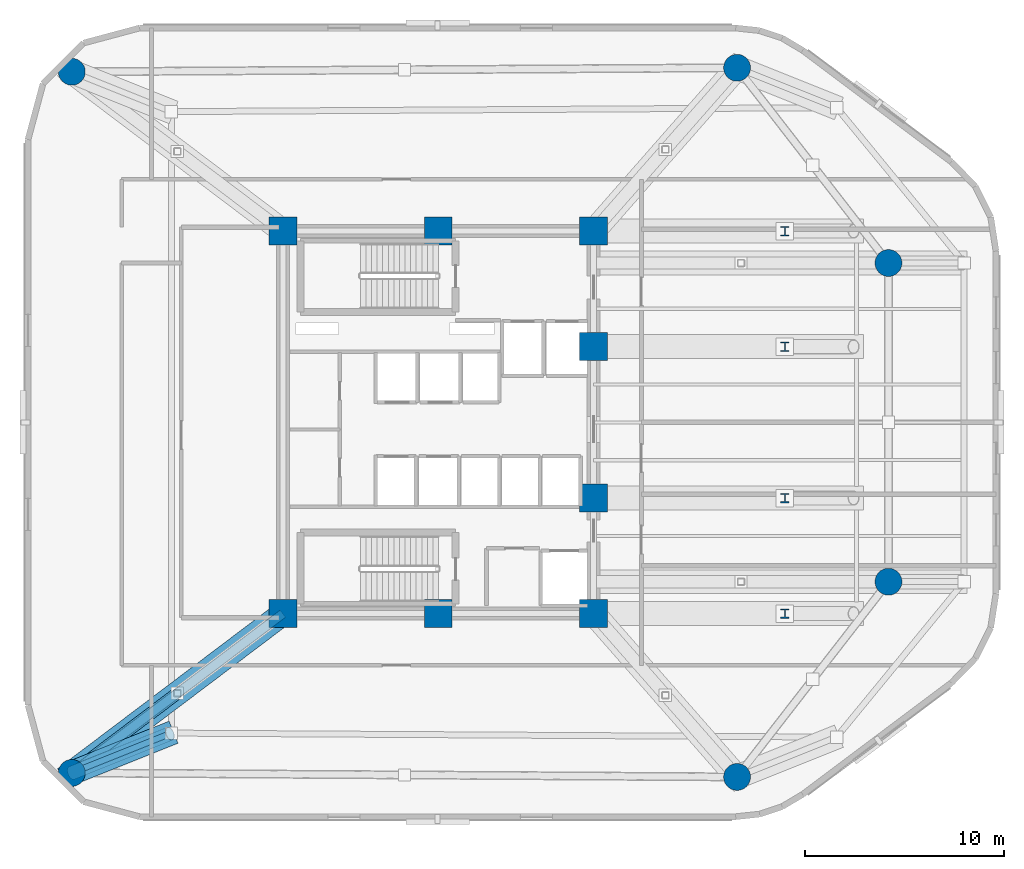
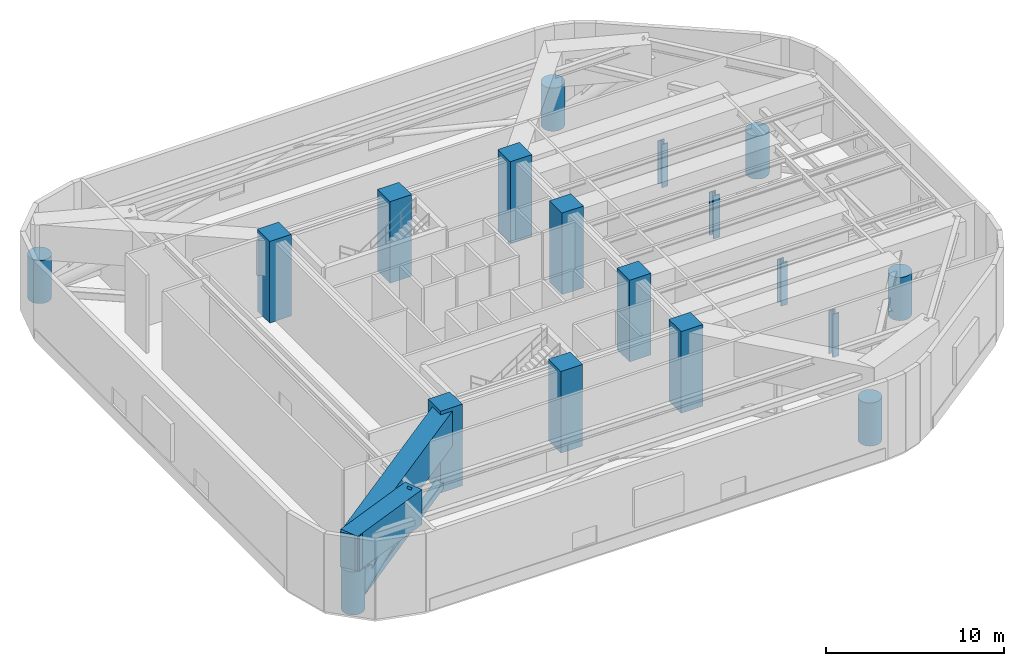
# One storey, part 1 of 10: 18 columns, 3 beams, 3 members.
"""IFC4 building model written with IfcOpenShell, lengths in metres."""

from ifc_helpers import new_model, si_unit, direction, frame, origin, origin_2d, place, context, subcontext, project, spatial, rectangle, hollow_rectangle, circle, hollow_circle, i_section, extrude, material, material_profile, profile_set, type_object, element, save


model = new_model("IFC4")

# Units and contexts
model_context = context("Model", 3, precision=1e-05, world=origin(), true_north=direction((0.0, 1.0)))
body_context = subcontext(model_context, "Body", "Model", "MODEL_VIEW")
ifc_project = project(units=[si_unit("LENGTHUNIT", "METRE"), si_unit("AREAUNIT", "SQUARE_METRE"), si_unit("VOLUMEUNIT", "CUBIC_METRE"), si_unit("PLANEANGLEUNIT", "RADIAN"), si_unit("MASSUNIT", "GRAM", prefix="KILO")], contexts=[model_context])

# Site, building, storey
site_placement = place(None, origin())
site = spatial("IfcSite", under=ifc_project, at=site_placement, CompositionType="ELEMENT")
building_placement = place(site_placement, origin())
building = spatial("IfcBuilding", under=site, at=building_placement, Name="An Khanh Terracotta Commons", CompositionType="ELEMENT")
storey_placement = place(building_placement, frame((0.0, 0.0, 133.10009765625)))
storey = spatial("IfcBuildingStorey", under=building, at=storey_placement, Name="L35", CompositionType="ELEMENT", Elevation=133.10009765625)

# Columns
ifc_material_1 = material(Name="Concrete C70/85", Category="concrete")
ifc_material_profile_1 = material_profile(ifc_material_1, circle(Radius=0.675048828125, at=origin_2d()), Name="CFST1350")
ifc_profile_set_1 = profile_set([ifc_material_profile_1], Name="Concrete C70/85")
column_type_1 = type_object("IfcColumnType", Name="COL-CFST1350", PredefinedType="COLUMN", material=ifc_profile_set_1)
for number, where, z_axis, x_axis, name in (
    (1, (11.0, 6.39990234375, 0.0), (0.0, 0.0, 1.0), (1.0, 0.0, 0.0), "L35 Perimeter CFST Mega-Column MC-01"),
    (2, (44.39990234375, 6.199951171875, 0.0), (0.0, 0.0, 1.0), (1.0, 0.0, 0.0), "L35 Perimeter CFST Mega-Column MC-02"),
    (3, (52.0, 16.0, 0.0), (0.0, 0.0, 1.0), (1.0, 0.0, 0.0), "L35 Perimeter CFST Mega-Column MC-03"),
    (4, (52.0, 32.0, 0.0), (0.0, 0.0, 1.0), (1.0, 0.0, 0.0), "L35 Perimeter CFST Mega-Column MC-04"),
    (5, (44.39990234375, 41.800048828125, 0.0), (0.0, 0.0, 1.0), (1.0, 0.0, 0.0), "L35 Perimeter CFST Mega-Column MC-05"),
    (6, (11.0, 41.60009765625, 0.0), (0.0, 0.0, 1.0), (1.0, 0.0, 0.0), "L35 Perimeter CFST Mega-Column MC-06"),
):
    element("IfcColumn", number, at=place(storey_placement, frame(where, z_axis=z_axis, x_axis=x_axis)), inside=storey, type_object=column_type_1, Name=name, PredefinedType="COLUMN", context=body_context, shape_type="SweptSolid", body=[
        extrude(circle(Radius=0.675048828125, at=origin_2d()), origin(), (0.0, 0.0, 1.0), 2.9599609375),
    ])
ifc_material_2 = material(Name="Steel S460ML", Category="steel")
ifc_material_profile_2 = material_profile(ifc_material_2, i_section(OverallWidth=0.4169921875, OverallDepth=0.47705078125, WebThickness=0.035888671875, FlangeThickness=0.057373046875, FilletRadius=0.014892578125, at=origin_2d()), Name="HD400x463")
ifc_profile_set_2 = profile_set([ifc_material_profile_2], Name="Steel S460ML")
column_type_2 = type_object("IfcColumnType", Name="COL-HD400x463", PredefinedType="COLUMN", material=ifc_profile_set_2)
for number, where, z_axis, x_axis, name in (
    (7, (46.800048828125, 14.39990234375, 0.0), (0.0, 0.0, 1.0), (1.0, 0.0, 0.0), "L35 Interior Frame Column TC-01"),
    (8, (46.800048828125, 20.199951171875, 0.0), (0.0, 0.0, 1.0), (1.0, 0.0, 0.0), "L35 Interior Frame Column TC-02"),
    (9, (46.800048828125, 27.800048828125, 0.0), (0.0, 0.0, 1.0), (1.0, 0.0, 0.0), "L35 Interior Frame Column TC-03"),
    (10, (46.800048828125, 33.60009765625, 0.0), (0.0, 0.0, 1.0), (1.0, 0.0, 0.0), "L35 Interior Frame Column TC-04"),
):
    element("IfcColumn", number, at=place(storey_placement, frame(where, z_axis=z_axis, x_axis=x_axis)), inside=storey, type_object=column_type_2, Name=name, PredefinedType="COLUMN", context=body_context, shape_type="SweptSolid", body=[
        extrude(i_section(OverallWidth=0.4169921875, OverallDepth=0.47705078125, WebThickness=0.035888671875, FlangeThickness=0.057373046875, FilletRadius=0.014892578125, at=origin_2d()), origin(), (0.0, 0.0, 1.0), 2.9599609375),
    ])
ifc_material_profile_3 = material_profile(ifc_material_1, rectangle(XDim=1.39990234375, YDim=1.39990234375, at=origin_2d()), Name="RC1400x1400")
ifc_profile_set_3 = profile_set([ifc_material_profile_3], Name="Concrete C70/85")
column_type_3 = type_object("IfcColumnType", Name="COL-RC1400x1400", PredefinedType="COLUMN", material=ifc_profile_set_3)
for number, where, z_axis, x_axis, name in (
    (11, (21.60009765625, 14.39990234375, 0.0), (0.0, 0.0, 1.0), (1.0, 0.0, 0.0), "L35 Core Boundary Column CC-01"),
    (12, (29.39990234375, 14.39990234375, 0.0), (0.0, 0.0, 1.0), (1.0, 0.0, 0.0), "L35 Core Boundary Column CC-02"),
    (13, (37.199951171875, 14.39990234375, 0.0), (0.0, 0.0, 1.0), (1.0, 0.0, 0.0), "L35 Core Boundary Column CC-03"),
    (14, (37.199951171875, 20.199951171875, 0.0), (0.0, 0.0, 1.0), (1.0, 0.0, 0.0), "L35 Core Boundary Column CC-04"),
    (15, (37.199951171875, 27.800048828125, 0.0), (0.0, 0.0, 1.0), (1.0, 0.0, 0.0), "L35 Core Boundary Column CC-05"),
    (16, (37.199951171875, 33.60009765625, 0.0), (0.0, 0.0, 1.0), (1.0, 0.0, 0.0), "L35 Core Boundary Column CC-06"),
    (17, (29.39990234375, 33.60009765625, 0.0), (0.0, 0.0, 1.0), (1.0, 0.0, 0.0), "L35 Core Boundary Column CC-07"),
    (18, (21.60009765625, 33.60009765625, 0.0), (0.0, 0.0, 1.0), (1.0, 0.0, 0.0), "L35 Core Boundary Column CC-08"),
):
    element("IfcColumn", number, at=place(storey_placement, frame(where, z_axis=z_axis, x_axis=x_axis)), inside=storey, type_object=column_type_3, Name=name, PredefinedType="COLUMN", context=body_context, shape_type="SweptSolid", body=[
        extrude(rectangle(XDim=1.39990234375, YDim=1.39990234375, at=origin_2d()), origin(), (0.0, 0.0, 1.0), 5.599853515625),
    ])

# Member
ifc_material_profile_4 = material_profile(ifc_material_2, hollow_rectangle(XDim=0.5, YDim=0.5, WallThickness=0.02490234375, InnerFilletRadius=0.02490234375, OuterFilletRadius=0.050048828125, at=origin_2d()), Name="SHS500x500x25")
ifc_profile_set_4 = profile_set([ifc_material_profile_4], Name="Steel S460ML")
member_type_1 = type_object("IfcMemberType", Name="BELT-CHORD-SHS500", PredefinedType="CHORD", material=ifc_profile_set_4)
member_1_placement = place(storey_placement, frame((21.60009765625, 14.39990234375, 0.449951171875), z_axis=(-0.798191818888, -0.602403370061, 0.0), x_axis=(0.602403370061, -0.798191818888, 0.0)))
element("IfcMember", 19, at=member_1_placement, inside=storey, type_object=member_type_1, Name="L35 Outrigger Bottom Chord 1", PredefinedType="CHORD", context=body_context, shape_type="SweptSolid", body=[
    extrude(hollow_rectangle(XDim=0.5, YDim=0.5, WallThickness=0.02490234375, InnerFilletRadius=0.02490234375, OuterFilletRadius=0.050048828125, at=origin_2d()), origin(), (0.0, 0.0, 1.0), 13.280029296875),
])

# Beams
ifc_material_3 = material(Name="Steel S355J2", Category="steel")
ifc_material_profile_5 = material_profile(ifc_material_3, i_section(OverallWidth=0.300048828125, OverallDepth=0.60009765625, WebThickness=0.015380859375, FlangeThickness=0.030029296875, FilletRadius=0.027099609375, at=origin_2d()), Name="HEB600")
ifc_profile_set_5 = profile_set([ifc_material_profile_5], Name="Steel S355J2")
beam_type_1 = type_object("IfcBeamType", Name="BM-HEB600", PredefinedType="BEAM", material=ifc_profile_set_5)
beam_1_placement = place(storey_placement, frame((11.0, 6.39990234375, 0.0), z_axis=(0.664822495315, 0.265928998126, 0.69806362008), x_axis=(-0.371390676354, 0.928476690885, 0.0)))
element("IfcBeam", 20, at=beam_1_placement, inside=storey, type_object=beam_type_1, Name="L35 Outrigger Lower Column Tie Beam 1", PredefinedType="BEAM", context=body_context, shape_type="SweptSolid", body=[
    extrude(i_section(OverallWidth=0.300048828125, OverallDepth=0.60009765625, WebThickness=0.015380859375, FlangeThickness=0.030029296875, FilletRadius=0.027099609375, at=origin_2d()), origin(), (0.0, 0.0, 1.0), 7.520751953125),
])
ifc_material_4 = material(Name="Concrete C60/75", Category="concrete")
ifc_material_profile_6 = material_profile(ifc_material_4, rectangle(XDim=1.199951171875, YDim=2.39990234375, at=origin_2d()), Name="RCB1200x2400")
ifc_profile_set_6 = profile_set([ifc_material_profile_6], Name="Concrete C60/75")
beam_type_2 = type_object("IfcBeamType", Name="BM-RCB1200x2400", PredefinedType="BEAM", material=ifc_profile_set_6)
beam_2_placement = place(storey_placement, frame((21.60009765625, 14.39990234375, 4.159912109375), z_axis=(-0.798186891816, -0.602409898435, 0.0), x_axis=(0.602409898435, -0.798186891816, 0.0)))
element("IfcBeam", 21, at=beam_2_placement, inside=storey, type_object=beam_type_2, Name="L35 Outrigger Core-to-Mega Transfer Girder 1", PredefinedType="BEAM", context=body_context, shape_type="SweptSolid", body=[
    extrude(rectangle(XDim=1.199951171875, YDim=2.39990234375, at=origin_2d()), origin(), (0.0, 0.0, 1.0), 13.729736328125),
])
beam_3_placement = place(storey_placement, frame((10.675048828125, 6.27001953125, 4.159912109375), z_axis=(0.928439302104, 0.371484134665, 0.0), x_axis=(-0.371484134665, 0.928439302104, 0.0)))
element("IfcBeam", 22, at=beam_3_placement, inside=storey, type_object=beam_type_2, Name="L35 Mega-Column Step-Out Transfer Girder 1", PredefinedType="BEAM", context=body_context, shape_type="SweptSolid", body=[
    extrude(rectangle(XDim=1.199951171875, YDim=2.39990234375, at=origin_2d()), origin(), (0.0, 0.0, 1.0), 5.85498046875),
])

# Members
ifc_material_profile_7 = material_profile(ifc_material_2, hollow_circle(Radius=0.304931640625, WallThickness=0.030029296875, at=origin_2d()), Name="CHS610x30")
ifc_profile_set_7 = profile_set([ifc_material_profile_7], Name="Steel S460ML")
member_type_2 = type_object("IfcMemberType", Name="OUTRIGGER-DIAG-CHS610", PredefinedType="BRACE", material=ifc_profile_set_7)
member_2_placement = place(storey_placement, frame((16.300048828125, 10.39990234375, 4.60986328125), z_axis=(-0.676413088262, -0.510495740849, -0.530904353535), x_axis=(0.602403370061, -0.798191818888, 0.0)))
element("IfcMember", 23, at=member_2_placement, inside=storey, type_object=member_type_2, Name="L35 Outrigger Tie Diagonal 1B", PredefinedType="BRACE", context=body_context, shape_type="SweptSolid", body=[
    extrude(hollow_circle(Radius=0.304931640625, WallThickness=0.030029296875, at=origin_2d()), origin(), (0.0, 0.0, 1.0), 7.83544921875),
])
ifc_material_profile_8 = material_profile(ifc_material_2, hollow_circle(Radius=0.35546875, WallThickness=0.031982421875, at=origin_2d()), Name="CHS711x32")
ifc_profile_set_8 = profile_set([ifc_material_profile_8], Name="Steel S460ML")
member_type_3 = type_object("IfcMemberType", Name="OUTRIGGER-RAKE-CHS711", PredefinedType="STRUT", material=ifc_profile_set_8)
member_3_placement = place(storey_placement, frame((11.0, 6.39990234375, 0.449951171875), z_axis=(0.760906280868, 0.304332343094, 0.573064967244), x_axis=(-0.371358940126, 0.928489384748, 0.0)))
element("IfcMember", 24, at=member_3_placement, inside=storey, type_object=member_type_3, Name="L35 Zone-Step Raking Outrigger Strut 1", PredefinedType="STRUT", context=body_context, shape_type="SweptSolid", body=[
    extrude(hollow_circle(Radius=0.35546875, WallThickness=0.031982421875, at=origin_2d()), origin(), (0.0, 0.0, 1.0), 6.473876953125),
])

save(model, "model.ifc")
